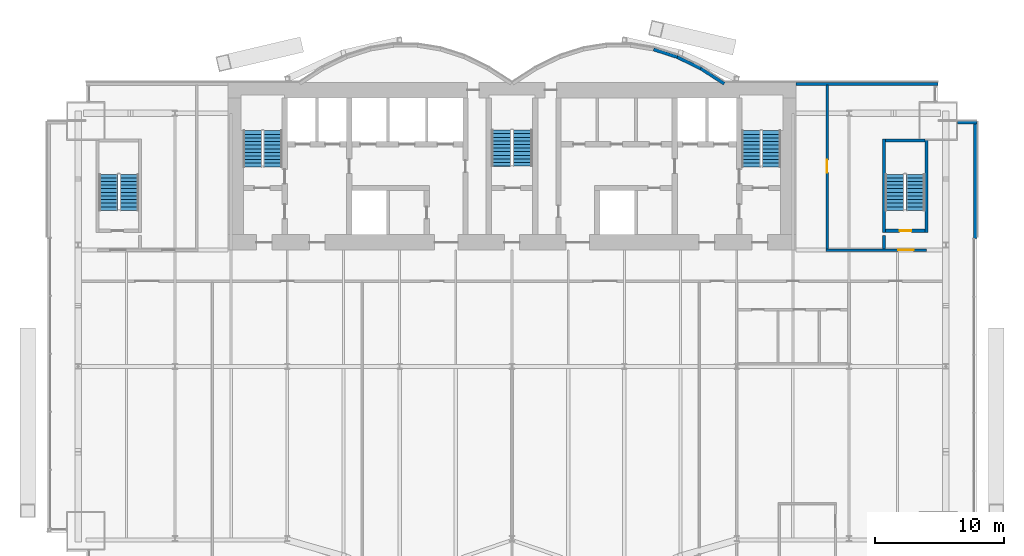
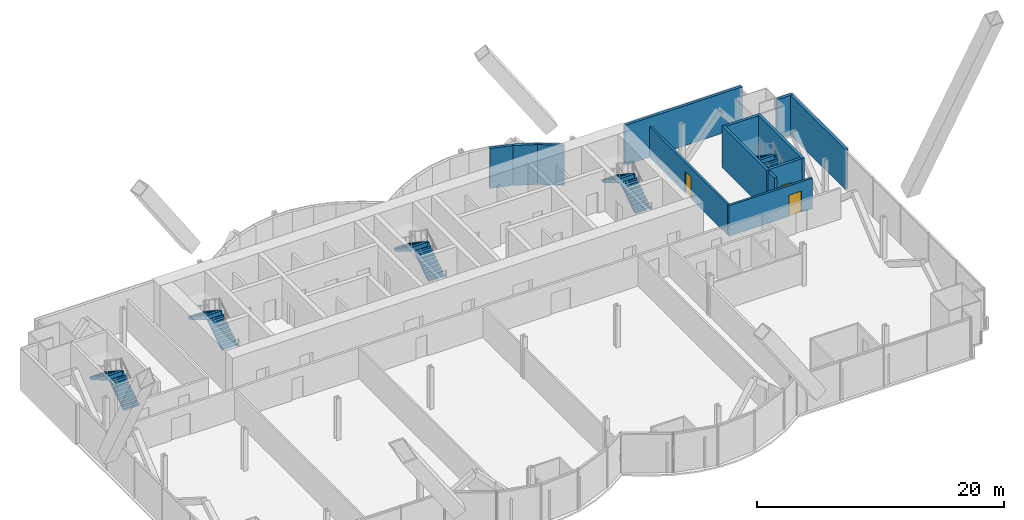
# One storey, part 20 of 23: 13 walls, 10 stair flights, 3 doors, 3 openings, 5 elements without a shape of their own.
"""IFC4 building model written with IfcOpenShell, lengths in metres."""

from ifc_helpers import new_model, si_unit, direction, frame, frame_2d, origin, place, context, subcontext, project, spatial, polyline, rectangle, outline, extrude, material, layer, layer_set, layer_usage, type_object, element, fill, aggregate, save


model = new_model("IFC4")

# Units and contexts
model_context = context("Model", 3, precision=1e-05, world=origin(), true_north=direction((0.0, 1.0)))
body_context = subcontext(model_context, "Body", "Model", "MODEL_VIEW")
ifc_project = project(units=[si_unit("LENGTHUNIT", "METRE"), si_unit("AREAUNIT", "SQUARE_METRE"), si_unit("VOLUMEUNIT", "CUBIC_METRE"), si_unit("PLANEANGLEUNIT", "RADIAN"), si_unit("MASSUNIT", "GRAM", prefix="KILO")], contexts=[model_context])

# Site, building, storey
site_placement = place(None, origin())
site = spatial("IfcSite", under=ifc_project, at=site_placement, CompositionType="ELEMENT")
building_placement = place(site_placement, origin())
building = spatial("IfcBuilding", under=site, at=building_placement, Name="Bicima Exchange Tower", CompositionType="ELEMENT")
storey_placement = place(building_placement, frame((0.0, 0.0, 110.39990234375)))
storey = spatial("IfcBuildingStorey", under=building, at=storey_placement, Name="L23", CompositionType="ELEMENT", Elevation=110.39990234375)

# Wall, opening, door
ifc_material_1 = material(Name="Gypsum board partition")
ifc_layer_1 = layer(ifc_material_1, 0.199951171875)
ifc_layer_set_1 = layer_set([ifc_layer_1], Name="Gypsum board partition")
wall_type_1 = type_object("IfcWallType", Name="Fire-rated gypsum partition 200 EI60", PredefinedType="PARTITIONING", material=ifc_layer_set_1)
wall_1_placement = place(storey_placement, frame((24.300048828125, -13.0, 0.0), z_axis=(0.0, 0.0, 1.0), x_axis=(1.0, 0.0, 0.0)))
wall_1 = element("IfcWall", 1, at=wall_1_placement, inside=storey, type_object=wall_type_1, Name="partition wall 8", PredefinedType="PARTITIONING", context=body_context, shape_type="SweptSolid", body=[
    extrude(rectangle(XDim=7.800048828125, YDim=0.199951171875, at=frame_2d((3.89990234375, 0.0))), origin(), (0.0, 0.0, 1.0), 3.018310546875),
])
opening_1_placement = place(wall_1_placement, frame((5.60009765625, 0.0, 0.0)))
opening_1 = element("IfcOpeningElement", 2, at=opening_1_placement, cuts=wall_1, Name="Opening L23-003", PredefinedType="OPENING", context=body_context, shape_type="SweptSolid", body=[
    extrude(rectangle(XDim=1.199951171875, YDim=2.10009765625, at=frame_2d((0.60009765625, 1.050048828125))), frame((0.0, 0.11181640625, 0.0), z_axis=(0.0, -1.0, 0.0), x_axis=(1.0, 0.0, 0.0)), (0.0, 0.0, 1.0), 0.223876953125),
])
ifc_material_2 = material(Name="Steel fire door leaf", Category="steel")
door_type_1 = type_object("IfcDoorType", Name="Door 1200 swing FD30S", OperationType="SINGLE_SWING_LEFT", PredefinedType="DOOR", material=ifc_material_2)
door_1_placement = place(opening_1_placement, origin())
door_1 = element("IfcDoor", 3, at=door_1_placement, inside=storey, type_object=door_type_1, Name="Door", OperationType="SINGLE_SWING_RIGHT", OverallHeight=2.10009765625, OverallWidth=1.199951171875, PredefinedType="DOOR", context=body_context, shape_type="SweptSolid", body=[
    extrude(rectangle(XDim=1.199951171875, YDim=2.10009765625, at=frame_2d((0.60009765625, 1.050048828125))), frame((0.0, 0.02490234375, 0.0), z_axis=(0.0, -1.0, 0.0), x_axis=(1.0, 0.0, 0.0)), (0.0, 0.0, 1.0), 0.050048828125),
])
fill(opening_1, door_1)

wall_2_placement = place(storey_placement, frame((24.39990234375, -12.89990234375, 0.0), z_axis=(0.0, 0.0, 1.0), x_axis=(0.0, 1.0, 0.0)))
wall_2 = element("IfcWall", 4, at=wall_2_placement, inside=storey, type_object=wall_type_1, Name="partition wall 34", PredefinedType="PARTITIONING", context=body_context, shape_type="SweptSolid", body=[
    extrude(rectangle(XDim=12.68994140625, YDim=0.199951171875, at=frame_2d((6.344970703125, 0.0))), origin(), (0.0, 0.0, 1.0), 3.018310546875),
])
opening_2_placement = place(wall_2_placement, frame((5.89990234375, 0.0, 0.0)))
opening_2 = element("IfcOpeningElement", 5, at=opening_2_placement, cuts=wall_2, Name="Opening L23-006", PredefinedType="OPENING", context=body_context, shape_type="SweptSolid", body=[
    extrude(rectangle(XDim=1.0, YDim=2.10009765625, at=frame_2d((0.5, 1.050048828125))), frame((0.0, 0.11181640625, 0.0), z_axis=(0.0, -1.0, 0.0), x_axis=(1.0, 0.0, 0.0)), (0.0, 0.0, 1.0), 0.223876953125),
])
door_type_2 = type_object("IfcDoorType", Name="Door 1000 swing FD30S", OperationType="SINGLE_SWING_LEFT", PredefinedType="DOOR", material=ifc_material_2)
door_2_placement = place(opening_2_placement, frame((1.0, 0.0, 0.0), z_axis=(0.0, 0.0, 1.0), x_axis=(-1.0, 0.0, 0.0)))
door_2 = element("IfcDoor", 6, at=door_2_placement, inside=storey, type_object=door_type_2, Name="Door", OperationType="SINGLE_SWING_RIGHT", OverallHeight=2.10009765625, OverallWidth=1.0, PredefinedType="DOOR", context=body_context, shape_type="SweptSolid", body=[
    extrude(rectangle(XDim=1.0, YDim=2.10009765625, at=frame_2d((0.5, 1.050048828125))), frame((0.0, 0.02490234375, 0.0), z_axis=(0.0, -1.0, 0.0), x_axis=(1.0, 0.0, 0.0)), (0.0, 0.0, 1.0), 0.050048828125),
])
fill(opening_2, door_2)

# Walls
ifc_material_3 = material(Name="Concrete C50/60", Category="concrete")
ifc_layer_2 = layer(ifc_material_3, 0.25)
ifc_layer_set_2 = layer_set([ifc_layer_2], Name="Concrete C50/60")
wall_type_2 = type_object("IfcWallType", Name="RC core wall 250 C50/60", PredefinedType="SHEAR", material=ifc_layer_set_2)
wall_3_placement = place(storey_placement, frame((28.800048828125, -12.89990234375, 0.0), z_axis=(0.0, 0.0, 1.0), x_axis=(0.0, 1.0, 0.0)))
element("IfcWall", 7, at=wall_3_placement, inside=storey, type_object=wall_type_2, Name="stair wall 37", PredefinedType="SHEAR", context=body_context, shape_type="SweptSolid", body=[
    extrude(rectangle(XDim=1.0498046875, YDim=0.25, at=frame_2d((0.52490234375, 0.0))), origin(), (0.0, 0.0, 1.0), 4.10009765625),
])
ifc_layer_3 = layer(ifc_material_3, 0.25)
ifc_layer_set_3 = layer_set([ifc_layer_3], Name="Concrete C50/60")
wall_type_3 = type_object("IfcWallType", Name="RC stair enclosure wall 250 C50/60", PredefinedType="SHEAR", material=ifc_layer_set_3)
for number, where, z_axis, x_axis, name in (
    (8, (28.800048828125, -11.625, 0.0), (0.0, 0.0, 1.0), (0.0, 1.0, 0.0), "East end exit stair wall W"),
    (9, (32.10009765625, -11.625, 0.0), (0.0, 0.0, 1.0), (0.0, 1.0, 0.0), "East end exit stair wall E"),
):
    element("IfcWall", number, at=place(storey_placement, frame(where, z_axis=z_axis, x_axis=x_axis)), inside=storey, type_object=wall_type_3, Name=name, PredefinedType="SHEAR", context=body_context, shape_type="SweptSolid", body=[
        extrude(rectangle(XDim=7.25, YDim=0.25, at=frame_2d((3.625, 0.0))), origin(), (0.0, 0.0, 1.0), 4.10009765625),
    ])

# Wall, opening, door
wall_4_placement = place(storey_placement, frame((28.925048828125, -11.5, 0.0), z_axis=(0.0, 0.0, 1.0), x_axis=(1.0, 0.0, 0.0)))
wall_4 = element("IfcWall", 10, at=wall_4_placement, inside=storey, type_object=wall_type_3, Name="East end exit stair wall S", PredefinedType="SHEAR", context=body_context, shape_type="SweptSolid", body=[
    extrude(rectangle(XDim=3.050048828125, YDim=0.25, at=frame_2d((1.52490234375, 0.0))), origin(), (0.0, 0.0, 1.0), 4.10009765625),
])
opening_3_placement = place(wall_4_placement, frame((1.10009765625, 0.0, 0.0)))
opening_3 = element("IfcOpeningElement", 11, at=opening_3_placement, cuts=wall_4, Name="Opening L23-004", PredefinedType="OPENING", context=body_context, shape_type="SweptSolid", body=[
    extrude(rectangle(XDim=0.89990234375, YDim=2.10009765625, at=frame_2d((0.449951171875, 1.050048828125))), frame((0.0, 0.136962890625, 0.0), z_axis=(0.0, -1.0, 0.0), x_axis=(1.0, 0.0, 0.0)), (0.0, 0.0, 1.0), 0.27392578125),
])
door_type_3 = type_object("IfcDoorType", Name="Door 900 swing FD60S", OperationType="SINGLE_SWING_LEFT", PredefinedType="DOOR", material=ifc_material_2)
door_3_placement = place(opening_3_placement, origin())
door_3 = element("IfcDoor", 12, at=door_3_placement, inside=storey, type_object=door_type_3, Name="Door", OperationType="SINGLE_SWING_LEFT", OverallHeight=2.10009765625, OverallWidth=0.89990234375, PredefinedType="DOOR", context=body_context, shape_type="SweptSolid", body=[
    extrude(rectangle(XDim=0.89990234375, YDim=2.10009765625, at=frame_2d((0.449951171875, 1.050048828125))), frame((0.0, 0.02490234375, 0.0), z_axis=(0.0, -1.0, 0.0), x_axis=(1.0, 0.0, 0.0)), (0.0, 0.0, 1.0), 0.050048828125),
])
fill(opening_3, door_3)

# Walls
wall_5_placement = place(storey_placement, frame((28.925048828125, -4.5, 0.0), z_axis=(0.0, 0.0, 1.0), x_axis=(1.0, 0.0, 0.0)))
element("IfcWall", 13, at=wall_5_placement, inside=storey, type_object=wall_type_3, Name="East end exit stair wall N", PredefinedType="SHEAR", context=body_context, shape_type="SweptSolid", body=[
    extrude(rectangle(XDim=3.050048828125, YDim=0.25, at=frame_2d((1.52490234375, 0.0))), origin(), (0.0, 0.0, 1.0), 4.10009765625),
])
ifc_material_4 = material(Name="Concrete C40/50", Category="concrete")
ifc_layer_4 = layer(ifc_material_4, 0.25)
ifc_layer_set_4 = layer_set([ifc_layer_4], Name="Concrete C40/50")
ifc_layer_usage = layer_usage(ifc_layer_set_4, "AXIS2", "POSITIVE", -0.125)
wall_type_4 = type_object("IfcWallType", Name="Rear backup wall 250", PredefinedType="STANDARD", material=ifc_layer_set_4)
wall_6_placement = place(storey_placement, frame((33.0, -0.125, 0.0), z_axis=(0.0, 0.0, 1.0), x_axis=(-1.0, 0.0, 0.0)))
element("IfcWall", 14, at=wall_6_placement, inside=storey, type_object=wall_type_4, material=ifc_layer_usage, Name="Rear backup wall L23 1", PredefinedType="STANDARD", context=body_context, shape_type="SweptSolid", body=[
    extrude(rectangle(XDim=11.0, YDim=0.25, at=frame_2d((5.5, 0.0))), origin(), (0.0, 0.0, 1.0), 3.9501953125),
])
wall_7_placement = place(storey_placement, frame((16.43212890625, -0.10498046875, 0.0), z_axis=(0.0, 0.0, 1.0), x_axis=(-0.83981312244, 0.542875602121, 0.0)))
element("IfcWall", 15, at=wall_7_placement, inside=storey, type_object=wall_type_4, material=ifc_layer_usage, Name="Rear backup wall L23 2", PredefinedType="STANDARD", context=body_context, shape_type="SweptSolid", body=[
    extrude(rectangle(XDim=2.182861328125, YDim=0.25, at=frame_2d((1.09130859375, 0.0))), origin(), (0.0, 0.0, 1.0), 3.9501953125),
])
wall_8_placement = place(storey_placement, frame((14.6123046875, 1.07275390625, 0.0), z_axis=(0.0, 0.0, 1.0), x_axis=(-0.89982408427, 0.436252928206, 0.0)))
element("IfcWall", 16, at=wall_8_placement, inside=storey, type_object=wall_type_4, material=ifc_layer_usage, Name="Rear backup wall L23 3", PredefinedType="STANDARD", context=body_context, shape_type="SweptSolid", body=[
    extrude(rectangle(XDim=2.03759765625, YDim=0.25, at=frame_2d((1.018798828125, 0.0))), origin(), (0.0, 0.0, 1.0), 3.9501953125),
])
wall_9_placement = place(storey_placement, frame((12.794921875, 1.955078125, 0.0), z_axis=(0.0, 0.0, 1.0), x_axis=(-0.951495806175, 0.307661714928, 0.0)))
element("IfcWall", 17, at=wall_9_placement, inside=storey, type_object=wall_type_4, material=ifc_layer_usage, Name="Rear backup wall L23 4", PredefinedType="STANDARD", context=body_context, shape_type="SweptSolid", body=[
    extrude(rectangle(XDim=1.9267578125, YDim=0.25, at=frame_2d((0.96337890625, 0.0))), origin(), (0.0, 0.0, 1.0), 3.9501953125),
])
wall_10_placement = place(storey_placement, frame((35.875, -12.090087890625, 0.0), z_axis=(0.0, 0.0, 1.0), x_axis=(0.0, 1.0, 0.0)))
element("IfcWall", 18, at=wall_10_placement, inside=storey, type_object=wall_type_4, material=ifc_layer_usage, Name="Rear backup wall L23 50", PredefinedType="STANDARD", context=body_context, shape_type="SweptSolid", body=[
    extrude(rectangle(XDim=9.090087890625, YDim=0.25, at=frame_2d((4.544921875, 0.0))), origin(), (0.0, 0.0, 1.0), 3.9501953125),
])
wall_11_placement = place(storey_placement, frame((36.0, -3.125, 0.0), z_axis=(0.0, 0.0, 1.0), x_axis=(-1.0, 0.0, 0.0)))
element("IfcWall", 19, at=wall_11_placement, inside=storey, type_object=wall_type_4, material=ifc_layer_usage, Name="Rear backup wall L23 51", PredefinedType="STANDARD", context=body_context, shape_type="SweptSolid", body=[
    extrude(rectangle(XDim=1.5, YDim=0.25, at=frame_2d((0.75, 0.0))), origin(), (0.0, 0.0, 1.0), 3.9501953125),
])

# Stair, stair flights
stair_type_1 = type_object("IfcStairType", Name="Exit stair", PredefinedType="HALF_TURN_STAIR", material=ifc_material_3)
stair_1_placement = place(storey_placement, origin())
stair_1 = element("IfcStair", 20, at=stair_1_placement, inside=storey, type_object=stair_type_1, Name="L23 West exit stair", PredefinedType="HALF_TURN_STAIR")
stair_flight_type_1 = type_object("IfcStairFlightType", Name="Stair flight RC", PredefinedType="STRAIGHT", material=ifc_material_3)
stair_flight_1_placement = place(storey_placement, frame((-18.52490234375, -6.550048828125, 0.0), z_axis=(0.0, 0.0, 1.0), x_axis=(0.0, 1.0, 0.0)))
stair_flight_1 = element("IfcStairFlight", 21, at=stair_flight_1_placement, type_object=stair_flight_type_1, Name="ST-W flight 1", NumberOfRisers=11, NumberOfTreads=10, PredefinedType="STRAIGHT", RiserHeight=0.186363636, TreadLength=0.28, context=body_context, shape_type="SweptSolid", body=[
    extrude(outline(polyline([(0.0, 0.0), (0.0, 0.186279296875), (0.280029296875, 0.186279296875), (0.280029296875, 0.372802734375), (0.56005859375, 0.372802734375), (0.56005859375, 0.55908203125), (0.840087890625, 0.55908203125), (0.840087890625, 0.745361328125), (1.1201171875, 0.745361328125), (1.1201171875, 0.931884765625), (1.39990234375, 0.931884765625), (1.39990234375, 1.1181640625), (1.679931640625, 1.1181640625), (1.679931640625, 1.304443359375), (1.9599609375, 1.304443359375), (1.9599609375, 1.490966796875), (2.239990234375, 1.490966796875), (2.239990234375, 1.67724609375), (2.52001953125, 1.67724609375), (2.52001953125, 1.863525390625), (2.800048828125, 1.863525390625), (2.800048828125, 2.050048828125), (2.800048828125, 1.68359375), (0.2705078125, 0.0), (0.0, 0.0)])), frame((0.0, 0.72509765625, 0.0), z_axis=(0.0, -1.0, 0.0), x_axis=(1.0, 0.0, 0.0)), (0.0, 0.0, 1.0), 1.449951171875),
])
stair_flight_2_placement = place(storey_placement, frame((-20.074951171875, -3.75, 2.050048828125), z_axis=(0.0, 0.0, 1.0), x_axis=(0.0, -1.0, 0.0)))
stair_flight_2 = element("IfcStairFlight", 22, at=stair_flight_2_placement, type_object=stair_flight_type_1, Name="ST-W flight 2", NumberOfRisers=11, NumberOfTreads=10, PredefinedType="STRAIGHT", RiserHeight=0.186363636, TreadLength=0.28, context=body_context, shape_type="SweptSolid", body=[
    extrude(outline(polyline([(0.0, 0.0), (0.0, 0.186279296875), (0.280029296875, 0.186279296875), (0.280029296875, 0.372802734375), (0.56005859375, 0.372802734375), (0.56005859375, 0.55908203125), (0.840087890625, 0.55908203125), (0.840087890625, 0.745361328125), (1.1201171875, 0.745361328125), (1.1201171875, 0.931884765625), (1.39990234375, 0.931884765625), (1.39990234375, 1.1181640625), (1.679931640625, 1.1181640625), (1.679931640625, 1.304443359375), (1.9599609375, 1.304443359375), (1.9599609375, 1.490966796875), (2.239990234375, 1.490966796875), (2.239990234375, 1.67724609375), (2.52001953125, 1.67724609375), (2.52001953125, 1.863525390625), (2.800048828125, 1.863525390625), (2.800048828125, 1.904052734375), (2.81494140625, 1.904052734375), (2.81494140625, 1.507080078125), (0.2705078125, 0.0), (0.0, 0.0)])), frame((0.0, 0.72509765625, 0.0), z_axis=(0.0, -1.0, 0.0), x_axis=(1.0, 0.0, 0.0)), (0.0, 0.0, 1.0), 1.449951171875),
])
aggregate(stair_1, [stair_flight_1, stair_flight_2])

stair_2_placement = place(storey_placement, origin())
stair_2 = element("IfcStair", 23, at=stair_2_placement, inside=storey, type_object=stair_type_1, Name="L23 East exit stair", PredefinedType="HALF_TURN_STAIR")
stair_flight_3_placement = place(storey_placement, frame((20.074951171875, -6.550048828125, 0.0), z_axis=(0.0, 0.0, 1.0), x_axis=(0.0, 1.0, 0.0)))
stair_flight_3 = element("IfcStairFlight", 24, at=stair_flight_3_placement, type_object=stair_flight_type_1, Name="ST-E flight 1", NumberOfRisers=11, NumberOfTreads=10, PredefinedType="STRAIGHT", RiserHeight=0.186363636, TreadLength=0.28, context=body_context, shape_type="SweptSolid", body=[
    extrude(outline(polyline([(0.0, 0.0), (0.0, 0.186279296875), (0.280029296875, 0.186279296875), (0.280029296875, 0.372802734375), (0.56005859375, 0.372802734375), (0.56005859375, 0.55908203125), (0.840087890625, 0.55908203125), (0.840087890625, 0.745361328125), (1.1201171875, 0.745361328125), (1.1201171875, 0.931884765625), (1.39990234375, 0.931884765625), (1.39990234375, 1.1181640625), (1.679931640625, 1.1181640625), (1.679931640625, 1.304443359375), (1.9599609375, 1.304443359375), (1.9599609375, 1.490966796875), (2.239990234375, 1.490966796875), (2.239990234375, 1.67724609375), (2.52001953125, 1.67724609375), (2.52001953125, 1.863525390625), (2.800048828125, 1.863525390625), (2.800048828125, 2.050048828125), (2.800048828125, 1.68359375), (0.2705078125, 0.0), (0.0, 0.0)])), frame((0.0, 0.72509765625, 0.0), z_axis=(0.0, -1.0, 0.0), x_axis=(1.0, 0.0, 0.0)), (0.0, 0.0, 1.0), 1.449951171875),
])
stair_flight_4_placement = place(storey_placement, frame((18.52490234375, -3.75, 2.050048828125), z_axis=(0.0, 0.0, 1.0), x_axis=(0.0, -1.0, 0.0)))
stair_flight_4 = element("IfcStairFlight", 25, at=stair_flight_4_placement, type_object=stair_flight_type_1, Name="ST-E flight 2", NumberOfRisers=11, NumberOfTreads=10, PredefinedType="STRAIGHT", RiserHeight=0.186363636, TreadLength=0.28, context=body_context, shape_type="SweptSolid", body=[
    extrude(outline(polyline([(0.0, 0.0), (0.0, 0.186279296875), (0.280029296875, 0.186279296875), (0.280029296875, 0.372802734375), (0.56005859375, 0.372802734375), (0.56005859375, 0.55908203125), (0.840087890625, 0.55908203125), (0.840087890625, 0.745361328125), (1.1201171875, 0.745361328125), (1.1201171875, 0.931884765625), (1.39990234375, 0.931884765625), (1.39990234375, 1.1181640625), (1.679931640625, 1.1181640625), (1.679931640625, 1.304443359375), (1.9599609375, 1.304443359375), (1.9599609375, 1.490966796875), (2.239990234375, 1.490966796875), (2.239990234375, 1.67724609375), (2.52001953125, 1.67724609375), (2.52001953125, 1.863525390625), (2.800048828125, 1.863525390625), (2.800048828125, 1.904052734375), (2.81494140625, 1.904052734375), (2.81494140625, 1.507080078125), (0.2705078125, 0.0), (0.0, 0.0)])), frame((0.0, 0.72509765625, 0.0), z_axis=(0.0, -1.0, 0.0), x_axis=(1.0, 0.0, 0.0)), (0.0, 0.0, 1.0), 1.449951171875),
])
aggregate(stair_2, [stair_flight_3, stair_flight_4])

stair_3_placement = place(storey_placement, origin())
stair_3 = element("IfcStair", 26, at=stair_3_placement, inside=storey, type_object=stair_type_1, Name="L23 West end exit stair", PredefinedType="HALF_TURN_STAIR")
stair_flight_5_placement = place(storey_placement, frame((-29.64990234375, -9.925048828125, 0.0), z_axis=(0.0, 0.0, 1.0), x_axis=(0.0, 1.0, 0.0)))
stair_flight_5 = element("IfcStairFlight", 27, at=stair_flight_5_placement, type_object=stair_flight_type_1, Name="ST-WW flight 1", NumberOfRisers=11, NumberOfTreads=10, PredefinedType="STRAIGHT", RiserHeight=0.186363636, TreadLength=0.28, context=body_context, shape_type="SweptSolid", body=[
    extrude(outline(polyline([(0.0, 0.0), (0.0, 0.186279296875), (0.280029296875, 0.186279296875), (0.280029296875, 0.372802734375), (0.56005859375, 0.372802734375), (0.56005859375, 0.55908203125), (0.840087890625, 0.55908203125), (0.840087890625, 0.745361328125), (1.1201171875, 0.745361328125), (1.1201171875, 0.931884765625), (1.39990234375, 0.931884765625), (1.39990234375, 1.1181640625), (1.679931640625, 1.1181640625), (1.679931640625, 1.304443359375), (1.9599609375, 1.304443359375), (1.9599609375, 1.490966796875), (2.239990234375, 1.490966796875), (2.239990234375, 1.67724609375), (2.52001953125, 1.67724609375), (2.52001953125, 1.863525390625), (2.800048828125, 1.863525390625), (2.800048828125, 2.050048828125), (2.800048828125, 1.68359375), (0.2705078125, 0.0), (0.0, 0.0)])), frame((0.0, 0.72509765625, 0.0), z_axis=(0.0, -1.0, 0.0), x_axis=(1.0, 0.0, 0.0)), (0.0, 0.0, 1.0), 1.449951171875),
])
stair_flight_6_placement = place(storey_placement, frame((-31.25, -7.125, 2.050048828125), z_axis=(0.0, 0.0, 1.0), x_axis=(0.0, -1.0, 0.0)))
stair_flight_6 = element("IfcStairFlight", 28, at=stair_flight_6_placement, type_object=stair_flight_type_1, Name="ST-WW flight 2", NumberOfRisers=11, NumberOfTreads=10, PredefinedType="STRAIGHT", RiserHeight=0.186363636, TreadLength=0.28, context=body_context, shape_type="SweptSolid", body=[
    extrude(outline(polyline([(0.0, 0.0), (0.0, 0.186279296875), (0.280029296875, 0.186279296875), (0.280029296875, 0.372802734375), (0.56005859375, 0.372802734375), (0.56005859375, 0.55908203125), (0.840087890625, 0.55908203125), (0.840087890625, 0.745361328125), (1.1201171875, 0.745361328125), (1.1201171875, 0.931884765625), (1.39990234375, 0.931884765625), (1.39990234375, 1.1181640625), (1.679931640625, 1.1181640625), (1.679931640625, 1.304443359375), (1.9599609375, 1.304443359375), (1.9599609375, 1.490966796875), (2.239990234375, 1.490966796875), (2.239990234375, 1.67724609375), (2.52001953125, 1.67724609375), (2.52001953125, 1.863525390625), (2.800048828125, 1.863525390625), (2.800048828125, 1.904052734375), (2.81494140625, 1.904052734375), (2.81494140625, 1.507080078125), (0.2705078125, 0.0), (0.0, 0.0)])), frame((0.0, 0.72509765625, 0.0), z_axis=(0.0, -1.0, 0.0), x_axis=(1.0, 0.0, 0.0)), (0.0, 0.0, 1.0), 1.449951171875),
])
aggregate(stair_3, [stair_flight_5, stair_flight_6])

stair_4_placement = place(storey_placement, origin())
stair_4 = element("IfcStair", 29, at=stair_4_placement, inside=storey, type_object=stair_type_1, Name="L23 East end exit stair", PredefinedType="HALF_TURN_STAIR")
stair_flight_7_placement = place(storey_placement, frame((31.25, -9.925048828125, 0.0), z_axis=(0.0, 0.0, 1.0), x_axis=(0.0, 1.0, 0.0)))
stair_flight_7 = element("IfcStairFlight", 30, at=stair_flight_7_placement, type_object=stair_flight_type_1, Name="ST-EE flight 1", NumberOfRisers=11, NumberOfTreads=10, PredefinedType="STRAIGHT", RiserHeight=0.186363636, TreadLength=0.28, context=body_context, shape_type="SweptSolid", body=[
    extrude(outline(polyline([(0.0, 0.0), (0.0, 0.186279296875), (0.280029296875, 0.186279296875), (0.280029296875, 0.372802734375), (0.56005859375, 0.372802734375), (0.56005859375, 0.55908203125), (0.840087890625, 0.55908203125), (0.840087890625, 0.745361328125), (1.1201171875, 0.745361328125), (1.1201171875, 0.931884765625), (1.39990234375, 0.931884765625), (1.39990234375, 1.1181640625), (1.679931640625, 1.1181640625), (1.679931640625, 1.304443359375), (1.9599609375, 1.304443359375), (1.9599609375, 1.490966796875), (2.239990234375, 1.490966796875), (2.239990234375, 1.67724609375), (2.52001953125, 1.67724609375), (2.52001953125, 1.863525390625), (2.800048828125, 1.863525390625), (2.800048828125, 2.050048828125), (2.800048828125, 1.68359375), (0.2705078125, 0.0), (0.0, 0.0)])), frame((0.0, 0.72509765625, 0.0), z_axis=(0.0, -1.0, 0.0), x_axis=(1.0, 0.0, 0.0)), (0.0, 0.0, 1.0), 1.449951171875),
])
stair_flight_8_placement = place(storey_placement, frame((29.64990234375, -7.125, 2.050048828125), z_axis=(0.0, 0.0, 1.0), x_axis=(0.0, -1.0, 0.0)))
stair_flight_8 = element("IfcStairFlight", 31, at=stair_flight_8_placement, type_object=stair_flight_type_1, Name="ST-EE flight 2", NumberOfRisers=11, NumberOfTreads=10, PredefinedType="STRAIGHT", RiserHeight=0.186363636, TreadLength=0.28, context=body_context, shape_type="SweptSolid", body=[
    extrude(outline(polyline([(0.0, 0.0), (0.0, 0.186279296875), (0.280029296875, 0.186279296875), (0.280029296875, 0.372802734375), (0.56005859375, 0.372802734375), (0.56005859375, 0.55908203125), (0.840087890625, 0.55908203125), (0.840087890625, 0.745361328125), (1.1201171875, 0.745361328125), (1.1201171875, 0.931884765625), (1.39990234375, 0.931884765625), (1.39990234375, 1.1181640625), (1.679931640625, 1.1181640625), (1.679931640625, 1.304443359375), (1.9599609375, 1.304443359375), (1.9599609375, 1.490966796875), (2.239990234375, 1.490966796875), (2.239990234375, 1.67724609375), (2.52001953125, 1.67724609375), (2.52001953125, 1.863525390625), (2.800048828125, 1.863525390625), (2.800048828125, 1.904052734375), (2.81494140625, 1.904052734375), (2.81494140625, 1.507080078125), (0.2705078125, 0.0), (0.0, 0.0)])), frame((0.0, 0.72509765625, 0.0), z_axis=(0.0, -1.0, 0.0), x_axis=(1.0, 0.0, 0.0)), (0.0, 0.0, 1.0), 1.449951171875),
])
aggregate(stair_4, [stair_flight_7, stair_flight_8])

stair_type_2 = type_object("IfcStairType", Name="Exit stair 1500", PredefinedType="HALF_TURN_STAIR", material=ifc_material_3)
stair_5_placement = place(storey_placement, origin())
stair_5 = element("IfcStair", 32, at=stair_5_placement, inside=storey, type_object=stair_type_2, Name="L23 Central exit stair", PredefinedType="HALF_TURN_STAIR")
stair_flight_type_2 = type_object("IfcStairFlightType", Name="Stair flight RC 1500", PredefinedType="STRAIGHT", material=ifc_material_3)
stair_flight_9_placement = place(storey_placement, frame((0.824951171875, -6.5, 0.0), z_axis=(0.0, 0.0, 1.0), x_axis=(0.0, 1.0, 0.0)))
stair_flight_9 = element("IfcStairFlight", 33, at=stair_flight_9_placement, type_object=stair_flight_type_2, Name="ST-C flight 1", NumberOfRisers=11, NumberOfTreads=10, PredefinedType="STRAIGHT", RiserHeight=0.186363636, TreadLength=0.28, context=body_context, shape_type="SweptSolid", body=[
    extrude(outline(polyline([(0.0, 0.0), (0.0, 0.186279296875), (0.280029296875, 0.186279296875), (0.280029296875, 0.372802734375), (0.56005859375, 0.372802734375), (0.56005859375, 0.55908203125), (0.840087890625, 0.55908203125), (0.840087890625, 0.745361328125), (1.1201171875, 0.745361328125), (1.1201171875, 0.931884765625), (1.39990234375, 0.931884765625), (1.39990234375, 1.1181640625), (1.679931640625, 1.1181640625), (1.679931640625, 1.304443359375), (1.9599609375, 1.304443359375), (1.9599609375, 1.490966796875), (2.239990234375, 1.490966796875), (2.239990234375, 1.67724609375), (2.52001953125, 1.67724609375), (2.52001953125, 1.863525390625), (2.800048828125, 1.863525390625), (2.800048828125, 2.050048828125), (2.800048828125, 1.68359375), (0.2705078125, 0.0), (0.0, 0.0)])), frame((0.0, 0.75, 0.0), z_axis=(0.0, -1.0, 0.0), x_axis=(1.0, 0.0, 0.0)), (0.0, 0.0, 1.0), 1.5),
])
stair_flight_10_placement = place(storey_placement, frame((-0.824951171875, -3.699951171875, 2.050048828125), z_axis=(0.0, 0.0, 1.0), x_axis=(0.0, -1.0, 0.0)))
stair_flight_10 = element("IfcStairFlight", 34, at=stair_flight_10_placement, type_object=stair_flight_type_2, Name="ST-C flight 2", NumberOfRisers=11, NumberOfTreads=10, PredefinedType="STRAIGHT", RiserHeight=0.186363636, TreadLength=0.28, context=body_context, shape_type="SweptSolid", body=[
    extrude(outline(polyline([(0.0, 0.0), (0.0, 0.186279296875), (0.280029296875, 0.186279296875), (0.280029296875, 0.372802734375), (0.56005859375, 0.372802734375), (0.56005859375, 0.55908203125), (0.840087890625, 0.55908203125), (0.840087890625, 0.745361328125), (1.1201171875, 0.745361328125), (1.1201171875, 0.931884765625), (1.39990234375, 0.931884765625), (1.39990234375, 1.1181640625), (1.679931640625, 1.1181640625), (1.679931640625, 1.304443359375), (1.9599609375, 1.304443359375), (1.9599609375, 1.490966796875), (2.239990234375, 1.490966796875), (2.239990234375, 1.67724609375), (2.52001953125, 1.67724609375), (2.52001953125, 1.863525390625), (2.800048828125, 1.863525390625), (2.800048828125, 1.904052734375), (2.81494140625, 1.904052734375), (2.81494140625, 1.507080078125), (0.2705078125, 0.0), (0.0, 0.0)])), frame((0.0, 0.75, 0.0), z_axis=(0.0, -1.0, 0.0), x_axis=(1.0, 0.0, 0.0)), (0.0, 0.0, 1.0), 1.5),
])
aggregate(stair_5, [stair_flight_9, stair_flight_10])

save(model, "model.ifc")
